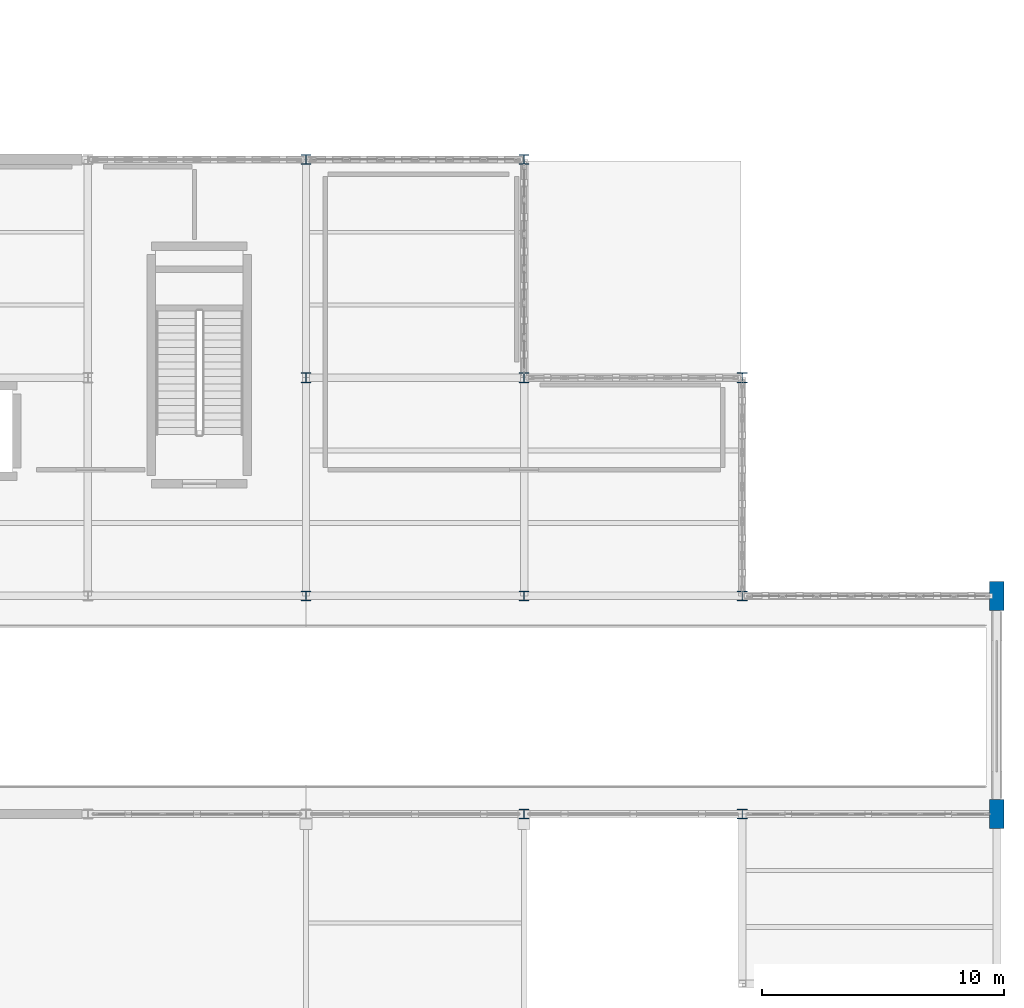
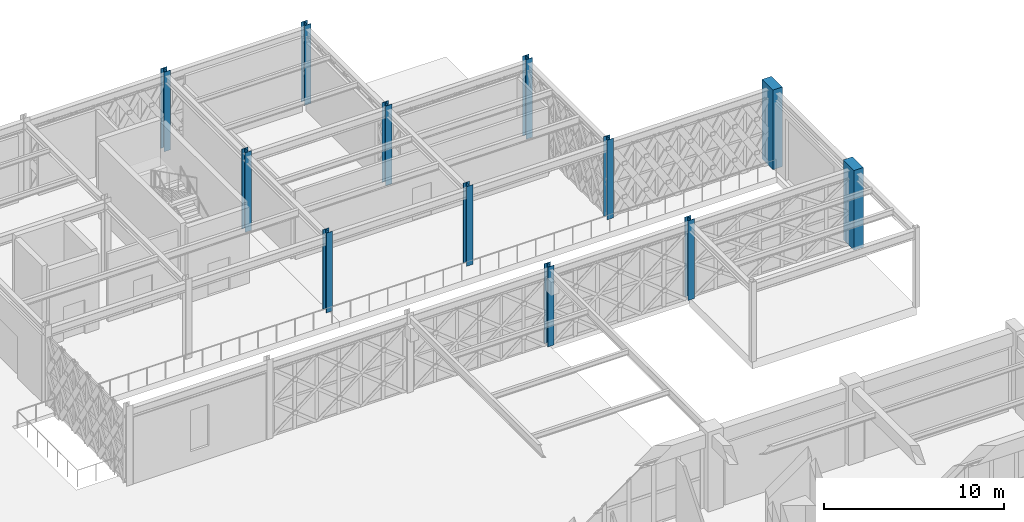
# One storey, part 7 of 140: 12 columns.
"""IFC4 building model written with IfcOpenShell, lengths in metres."""

from ifc_helpers import new_model, si_unit, direction, frame, origin, origin_2d, place, context, subcontext, project, spatial, rectangle, i_section, extrude, material, material_profile, profile_set, type_object, element, save


model = new_model("IFC4")

# Units and contexts
model_context = context("Model", 3, precision=1e-05, world=origin(), true_north=direction((0.0, 1.0)))
body_context = subcontext(model_context, "Body", "Model", "MODEL_VIEW")
ifc_project = project(units=[si_unit("LENGTHUNIT", "METRE"), si_unit("AREAUNIT", "SQUARE_METRE"), si_unit("VOLUMEUNIT", "CUBIC_METRE"), si_unit("PLANEANGLEUNIT", "RADIAN"), si_unit("MASSUNIT", "GRAM", prefix="KILO")], contexts=[model_context])

# Site, building, storey
site_placement = place(None, origin())
site = spatial("IfcSite", under=ifc_project, at=site_placement, CompositionType="ELEMENT")
building_placement = place(site_placement, origin())
building = spatial("IfcBuilding", under=site, at=building_placement, Name="Haizhuo Lancet Aquarium", CompositionType="ELEMENT")
storey_placement = place(building_placement, origin())
storey = spatial("IfcBuildingStorey", under=building, at=storey_placement, Name="L00", CompositionType="ELEMENT", Elevation=0.0)

# Columns
ifc_material_1 = material(Name="Steel S355", Category="steel")
ifc_material_profile_1 = material_profile(ifc_material_1, i_section(OverallWidth=0.39990234375, OverallDepth=0.39990234375, WebThickness=0.012939453125, FlangeThickness=0.02099609375, FilletRadius=0.02197265625, at=origin_2d()), Name="HW 400x400x13x21")
ifc_profile_set_1 = profile_set([ifc_material_profile_1], Name="Steel S355")
column_type_1 = type_object("IfcColumnType", Name="COL-ST-HW400", PredefinedType="COLUMN", material=ifc_profile_set_1)
for number, where, z_axis, x_axis, name in (
    (1, (54.0, 18.0, 0.0), (0.0, 0.0, 1.0), (1.0, 0.0, 0.0), "L00 column V7-COL-137"),
    (2, (54.0, 27.0, 0.0), (0.0, 0.0, 1.0), (1.0, 0.0, 0.0), "L00 column V7-COL-138"),
    (3, (54.0, 36.0, 0.0), (0.0, 0.0, 1.0), (1.0, 0.0, 0.0), "L00 column V7-COL-139"),
    (4, (63.0, 9.0, 0.0), (0.0, 0.0, 1.0), (1.0, 0.0, 0.0), "L00 column V7-COL-140"),
    (5, (63.0, 18.0, 0.0), (0.0, 0.0, 1.0), (1.0, 0.0, 0.0), "L00 column V7-COL-141"),
    (6, (63.0, 27.0, 0.0), (0.0, 0.0, 1.0), (1.0, 0.0, 0.0), "L00 column V7-COL-142"),
    (7, (63.0, 36.0, 0.0), (0.0, 0.0, 1.0), (1.0, 0.0, 0.0), "L00 column V7-COL-143"),
    (8, (72.0, 9.0, 0.0), (0.0, 0.0, 1.0), (1.0, 0.0, 0.0), "L00 column V7-COL-144"),
    (9, (72.0, 18.0, 0.0), (0.0, 0.0, 1.0), (1.0, 0.0, 0.0), "L00 column V7-COL-145"),
    (10, (72.0, 27.0, 0.0), (0.0, 0.0, 1.0), (1.0, 0.0, 0.0), "L00 column V7-COL-146"),
):
    element("IfcColumn", number, at=place(storey_placement, frame(where, z_axis=z_axis, x_axis=x_axis)), inside=storey, type_object=column_type_1, Name=name, PredefinedType="COLUMN", context=body_context, shape_type="SweptSolid", body=[
        extrude(i_section(OverallWidth=0.39990234375, OverallDepth=0.39990234375, WebThickness=0.012939453125, FlangeThickness=0.02099609375, FilletRadius=0.02197265625, at=origin_2d()), origin(), (0.0, 0.0, 1.0), 5.39990234375),
    ])
ifc_material_2 = material(Name="Concrete C45/55", Category="concrete")
ifc_material_profile_2 = material_profile(ifc_material_2, rectangle(XDim=0.60009765625, YDim=1.199951171875, at=origin_2d()), Name="RC-PIL 600x1200")
ifc_profile_set_2 = profile_set([ifc_material_profile_2], Name="Concrete C45/55")
column_type_2 = type_object("IfcColumnType", Name="PIL-RC-600x1200", PredefinedType="PILASTER", material=ifc_profile_set_2)
for number, where, z_axis, x_axis, name in (
    (11, (82.5, 9.0, 0.0), (0.0, 0.0, 1.0), (1.0, 0.0, 0.0), "L00 column V7-COL-147"),
    (12, (82.5, 18.0, 0.0), (0.0, 0.0, 1.0), (1.0, 0.0, 0.0), "L00 column V7-COL-148"),
):
    element("IfcColumn", number, at=place(storey_placement, frame(where, z_axis=z_axis, x_axis=x_axis)), inside=storey, type_object=column_type_2, Name=name, PredefinedType="PILASTER", context=body_context, shape_type="SweptSolid", body=[
        extrude(rectangle(XDim=0.60009765625, YDim=1.199951171875, at=origin_2d()), origin(), (0.0, 0.0, 1.0), 5.39990234375),
    ])

save(model, "model.ifc")
